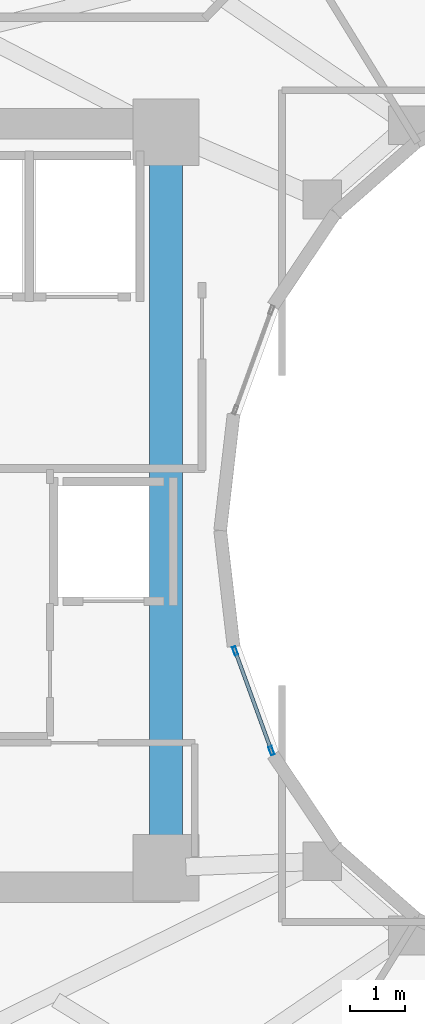
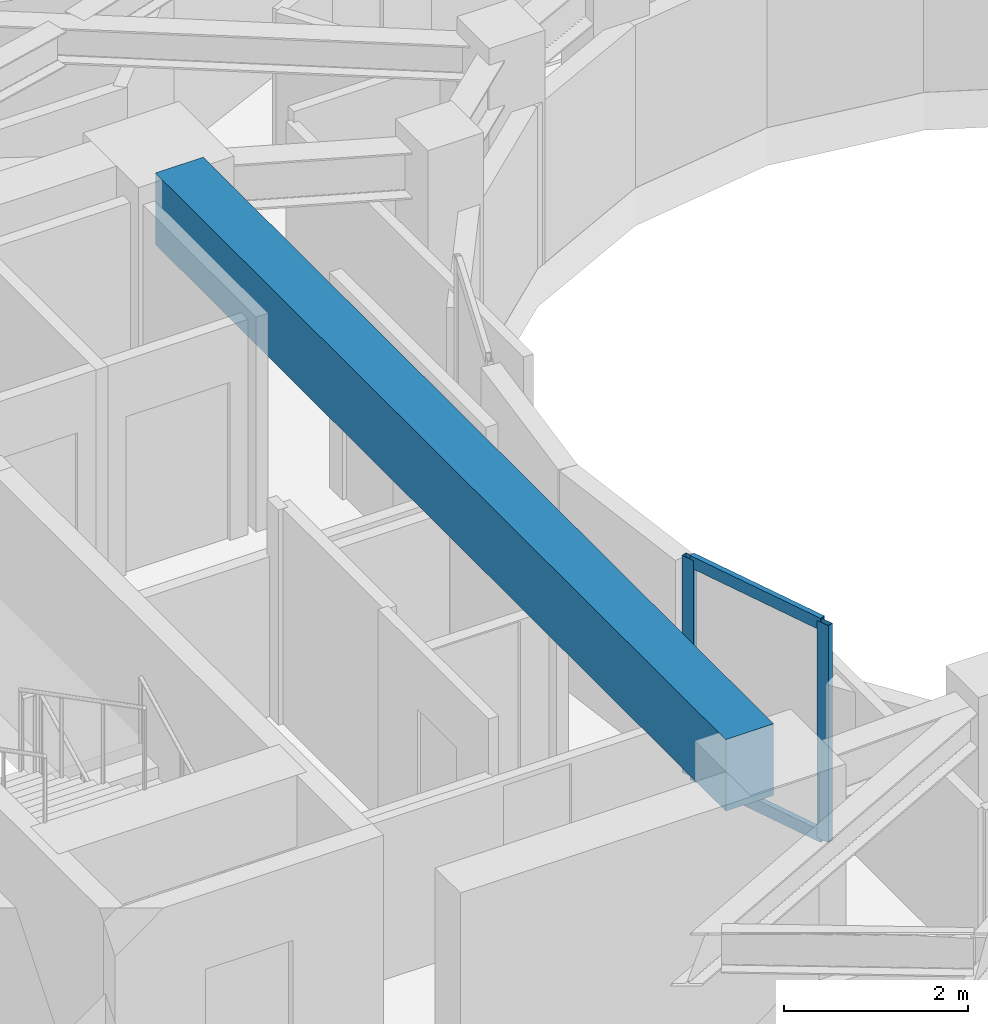
# One storey, part 2 of 19: 4 members, 1 beam, 1 element without a shape of its own.
"""IFC4 building model written with IfcOpenShell, lengths in metres."""

from ifc_helpers import new_model, si_unit, direction, frame, origin, origin_2d, place, context, subcontext, project, spatial, rectangle, hollow_rectangle, extrude, material, layer, layer_set, material_profile, profile_set, type_object, element, aggregate, save


model = new_model("IFC4")

# Units and contexts
model_context = context("Model", 3, precision=1e-05, world=origin(), true_north=direction((0.0, 1.0)))
body_context = subcontext(model_context, "Body", "Model", "MODEL_VIEW")
ifc_project = project(units=[si_unit("LENGTHUNIT", "METRE"), si_unit("AREAUNIT", "SQUARE_METRE"), si_unit("VOLUMEUNIT", "CUBIC_METRE"), si_unit("PLANEANGLEUNIT", "RADIAN"), si_unit("MASSUNIT", "GRAM", prefix="KILO")], contexts=[model_context])

# Site, building, storey
site_placement = place(None, origin())
site = spatial("IfcSite", under=ifc_project, at=site_placement, CompositionType="ELEMENT")
building_placement = place(site_placement, origin())
building = spatial("IfcBuilding", under=site, at=building_placement, Name="Solvane Sanctuary Tower", CompositionType="ELEMENT")
storey_placement = place(building_placement, frame((0.0, 0.0, 201.60009765625)))
storey = spatial("IfcBuildingStorey", under=building, at=storey_placement, Name="L61", CompositionType="ELEMENT", Elevation=201.60009765625)

# Beam
ifc_material_1 = material(Name="Concrete C70/85", Category="concrete")
ifc_material_profile_1 = material_profile(ifc_material_1, rectangle(XDim=0.60009765625, YDim=0.949951171875, at=origin_2d()), Name="RC600X950")
ifc_profile_set_1 = profile_set([ifc_material_profile_1], Name="Concrete C70/85")
beam_type = type_object("IfcBeamType", Name="Beam B-COUPLE RC600X950", PredefinedType="LINTEL", material=ifc_profile_set_1)
beam_placement = place(storey_placement, frame((23.89990234375, 17.35009765625, 2.625), z_axis=(0.0, 1.0, 0.0), x_axis=(-1.0, 0.0, 0.0)))
element("IfcBeam", 1, at=beam_placement, inside=storey, type_object=beam_type, Name="L61 West Core Coupling Lintel", PredefinedType="LINTEL", context=body_context, shape_type="SweptSolid", body=[
    extrude(rectangle(XDim=0.60009765625, YDim=0.949951171875, at=origin_2d()), origin(), (0.0, 0.0, 1.0), 12.39990234375),
])

# Curtain wall, members
ifc_material_2 = material(Name="Anodised Aluminium 6063-T6", Category="aluminium")
ifc_layer = layer(ifc_material_2, 0.199951171875, Name="Anodised Aluminium 6063-T6")
ifc_layer_set = layer_set([ifc_layer], Name="Anodised Aluminium 6063-T6")
curtain_wall_type = type_object("IfcCurtainWallType", Name="Curtain Wall CW-WELL", PredefinedType="NOTDEFINED", material=ifc_layer_set)
curtain_wall_placement = place(storey_placement, origin())
curtain_wall = element("IfcCurtainWall", 2, at=curtain_wall_placement, inside=storey, type_object=curtain_wall_type, Name="L61 Light-Well Glazed Curtain Wall 13", PredefinedType="NOTDEFINED")
ifc_material_profile_2 = material_profile(ifc_material_2, hollow_rectangle(XDim=0.06494140625, YDim=0.159912109375, WallThickness=0.00341796875, at=origin_2d()), Name="ALU160X65X3.5")
ifc_profile_set_2 = profile_set([ifc_material_profile_2], Name="Anodised Aluminium 6063-T6")
member_type_1 = type_object("IfcMemberType", Name="Member M-CW-MUL-2 ALU160X65X3.5", PredefinedType="MULLION", material=ifc_profile_set_2)
member_1_placement = place(storey_placement, frame((25.15087890625, 20.82080078125, 0.0), z_axis=(0.0, 0.0, 1.0), x_axis=(0.939933181429, 0.341358483781, 0.0)))
member_1 = element("IfcMember", 3, at=member_1_placement, type_object=member_type_1, Name="CW-WELL mullion 1", PredefinedType="MULLION", context=body_context, shape_type="SweptSolid", body=[
    extrude(hollow_rectangle(XDim=0.06494140625, YDim=0.159912109375, WallThickness=0.00341796875, at=origin_2d()), origin(), (0.0, 0.0, 1.0), 2.8798828125),
])
member_2_placement = place(storey_placement, frame((25.8056640625, 19.017578125, 0.0), z_axis=(0.0, 0.0, 1.0), x_axis=(0.939933181429, 0.341358483781, 0.0)))
member_2 = element("IfcMember", 4, at=member_2_placement, type_object=member_type_1, Name="CW-WELL mullion 2", PredefinedType="MULLION", context=body_context, shape_type="SweptSolid", body=[
    extrude(hollow_rectangle(XDim=0.06494140625, YDim=0.159912109375, WallThickness=0.00341796875, at=origin_2d()), origin(), (0.0, 0.0, 1.0), 2.8798828125),
])
ifc_material_profile_3 = material_profile(ifc_material_2, hollow_rectangle(XDim=0.06494140625, YDim=0.159912109375, WallThickness=0.00341796875, at=origin_2d()), Name="ALU160X65X3.5")
ifc_profile_set_3 = profile_set([ifc_material_profile_3], Name="Anodised Aluminium 6063-T6")
member_type_2 = type_object("IfcMemberType", Name="Member M-CW-TRN-1 ALU160X65X3.5", PredefinedType="USERDEFINED", material=ifc_profile_set_3)
member_3_placement = place(storey_placement, frame((25.161865234375, 20.790283203125, 0.032470703125), z_axis=(0.341404620561, -0.939916424508, 0.0), x_axis=(0.939916424508, 0.341404620561, 0.0)))
member_3 = element("IfcMember", 5, at=member_3_placement, type_object=member_type_2, Name="CW-WELL transom 1.1", ObjectType="TRANSOM", PredefinedType="USERDEFINED", context=body_context, shape_type="SweptSolid", body=[
    extrude(hollow_rectangle(XDim=0.06494140625, YDim=0.159912109375, WallThickness=0.00341796875, at=origin_2d()), origin(), (0.0, 0.0, 1.0), 1.853515625),
])
member_4_placement = place(storey_placement, frame((25.161865234375, 20.790283203125, 2.847412109375), z_axis=(0.341404620561, -0.939916424508, 0.0), x_axis=(0.939916424508, 0.341404620561, 0.0)))
member_4 = element("IfcMember", 6, at=member_4_placement, type_object=member_type_2, Name="CW-WELL transom 1.2", ObjectType="TRANSOM", PredefinedType="USERDEFINED", context=body_context, shape_type="SweptSolid", body=[
    extrude(hollow_rectangle(XDim=0.06494140625, YDim=0.159912109375, WallThickness=0.00341796875, at=origin_2d()), origin(), (0.0, 0.0, 1.0), 1.853515625),
])
aggregate(curtain_wall, [member_1, member_2, member_3, member_4])

save(model, "model.ifc")
